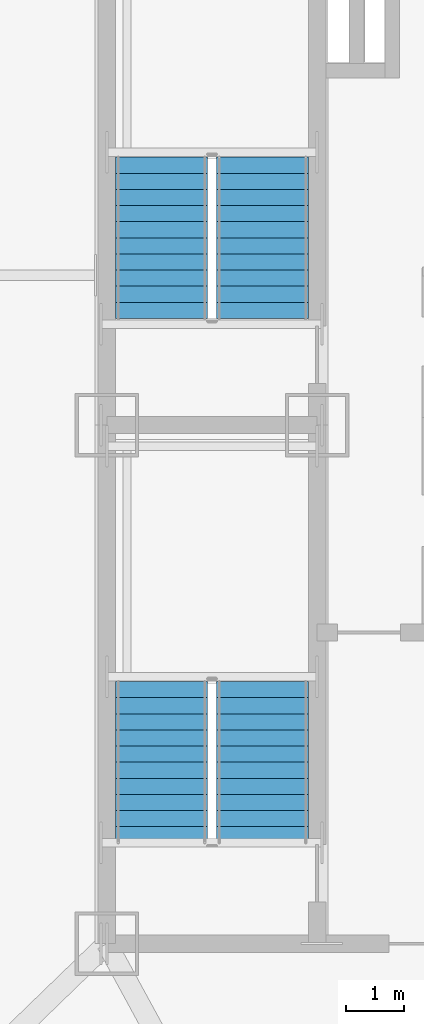
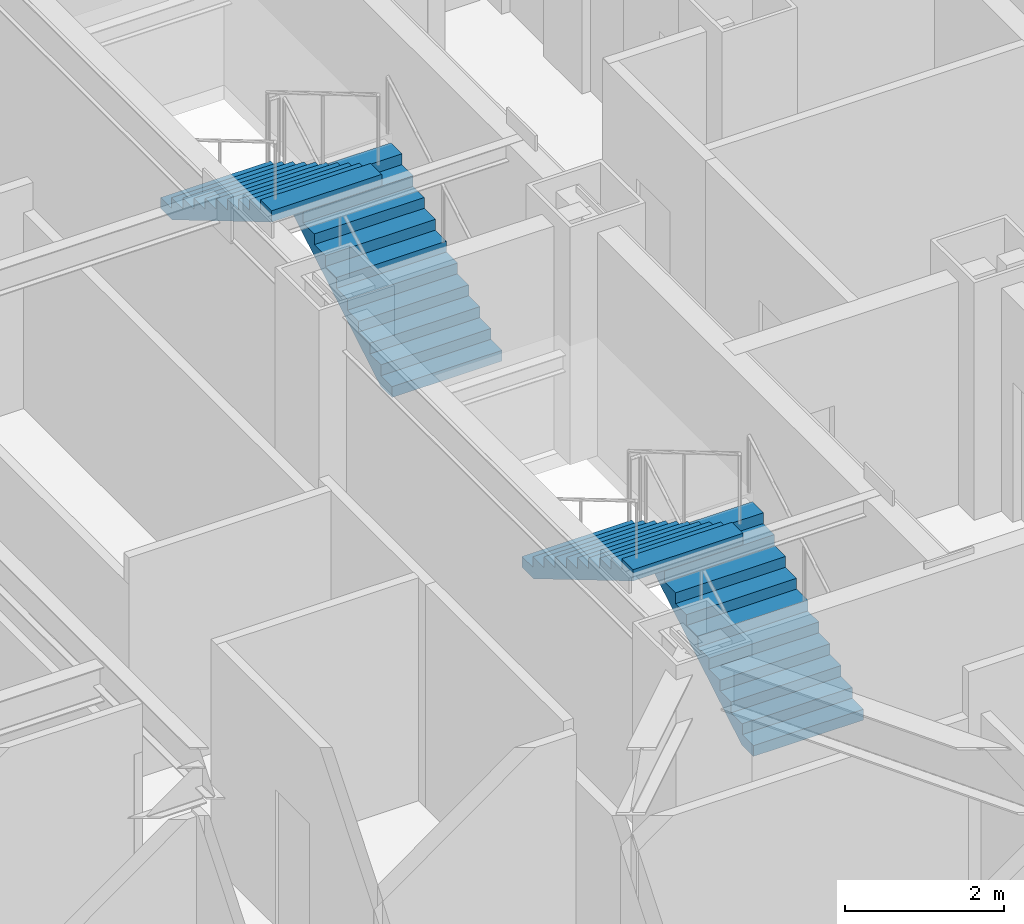
# One storey, part 11 of 12: 4 stair flights, 2 elements without a shape of their own.
"""IFC4 building model written with IfcOpenShell, lengths in metres."""

from ifc_helpers import new_model, si_unit, direction, frame, origin, place, context, subcontext, project, spatial, polyline, outline, extrude, material, type_object, element, aggregate, save


model = new_model("IFC4")

# Units and contexts
model_context = context("Model", 3, precision=1e-05, world=origin(), true_north=direction((0.0, 1.0)))
body_context = subcontext(model_context, "Body", "Model", "MODEL_VIEW")
ifc_project = project(units=[si_unit("LENGTHUNIT", "METRE"), si_unit("AREAUNIT", "SQUARE_METRE"), si_unit("VOLUMEUNIT", "CUBIC_METRE"), si_unit("PLANEANGLEUNIT", "RADIAN"), si_unit("MASSUNIT", "GRAM", prefix="KILO")], contexts=[model_context])

# Site, building, storey
site_placement = place(None, origin())
site = spatial("IfcSite", under=ifc_project, at=site_placement, CompositionType="ELEMENT")
building_placement = place(site_placement, origin())
building = spatial("IfcBuilding", under=site, at=building_placement, Name="Khamvora Tower", CompositionType="ELEMENT")
storey_placement = place(building_placement, frame((0.0, 0.0, 177.800048828125)))
storey = spatial("IfcBuildingStorey", under=building, at=storey_placement, Name="L45", CompositionType="ELEMENT", Elevation=177.800048828125)

# Stair, stair flights
ifc_material = material(Name="Concrete C40/50", Category="concrete")
stair_type_1 = type_object("IfcStairType", Name="STR-ST-01", PredefinedType="HALF_TURN_STAIR", material=ifc_material)
stair_1_placement = place(storey_placement, origin())
stair_1 = element("IfcStair", 1, at=stair_1_placement, inside=storey, type_object=stair_type_1, Name="L45 South Tower Exit Stair ST-01", PredefinedType="HALF_TURN_STAIR")
stair_flight_type_1 = type_object("IfcStairFlightType", Name="STF-ST-01", PredefinedType="STRAIGHT", material=ifc_material)
stair_flight_1_placement = place(storey_placement, frame((31.699951171875, 20.75, 0.0), z_axis=(0.0, 0.0, 1.0), x_axis=(0.0, 1.0, 0.0)))
stair_flight_1 = element("IfcStairFlight", 2, at=stair_flight_1_placement, type_object=stair_flight_type_1, Name="ST-01 flight 1", NumberOfRisers=11, NumberOfTreads=10, PredefinedType="STRAIGHT", RiserHeight=0.165909091, TreadLength=0.28, context=body_context, shape_type="SweptSolid", body=[
    extrude(outline(polyline([(0.0, 0.0), (0.0, 0.166015625), (0.280029296875, 0.166015625), (0.280029296875, 0.331787109375), (0.56005859375, 0.331787109375), (0.56005859375, 0.497802734375), (0.840087890625, 0.497802734375), (0.840087890625, 0.66357421875), (1.1201171875, 0.66357421875), (1.1201171875, 0.82958984375), (1.39990234375, 0.82958984375), (1.39990234375, 0.995361328125), (1.679931640625, 0.995361328125), (1.679931640625, 1.161376953125), (1.9599609375, 1.161376953125), (1.9599609375, 1.327392578125), (2.239990234375, 1.327392578125), (2.239990234375, 1.4931640625), (2.52001953125, 1.4931640625), (2.52001953125, 1.6591796875), (2.800048828125, 1.6591796875), (2.800048828125, 1.824951171875), (2.800048828125, 1.48486328125), (0.2939453125, 0.0), (0.0, 0.0)])), frame((0.0, 0.800048828125, 0.0), z_axis=(0.0, -1.0, 0.0), x_axis=(1.0, 0.0, 0.0)), (0.0, 0.0, 1.0), 1.60009765625),
])
stair_flight_2_placement = place(storey_placement, frame((29.949951171875, 23.550048828125, 1.824951171875), z_axis=(0.0, 0.0, 1.0), x_axis=(0.0, -1.0, 0.0)))
stair_flight_2 = element("IfcStairFlight", 3, at=stair_flight_2_placement, type_object=stair_flight_type_1, Name="ST-01 flight 2", NumberOfRisers=11, NumberOfTreads=10, PredefinedType="STRAIGHT", RiserHeight=0.165909091, TreadLength=0.28, context=body_context, shape_type="SweptSolid", body=[
    extrude(outline(polyline([(0.0, 0.0), (0.0, 0.166015625), (0.280029296875, 0.166015625), (0.280029296875, 0.331787109375), (0.56005859375, 0.331787109375), (0.56005859375, 0.497802734375), (0.840087890625, 0.497802734375), (0.840087890625, 0.66357421875), (1.1201171875, 0.66357421875), (1.1201171875, 0.82958984375), (1.39990234375, 0.82958984375), (1.39990234375, 0.995361328125), (1.679931640625, 0.995361328125), (1.679931640625, 1.161376953125), (1.9599609375, 1.161376953125), (1.9599609375, 1.327392578125), (2.239990234375, 1.327392578125), (2.239990234375, 1.4931640625), (2.52001953125, 1.4931640625), (2.52001953125, 1.6591796875), (2.800048828125, 1.6591796875), (2.800048828125, 1.824951171875), (2.800048828125, 1.48486328125), (0.2939453125, 0.0), (0.0, 0.0)])), frame((0.0, 0.800048828125, 0.0), z_axis=(0.0, -1.0, 0.0), x_axis=(1.0, 0.0, 0.0)), (0.0, 0.0, 1.0), 1.60009765625),
])
aggregate(stair_1, [stair_flight_1, stair_flight_2])

stair_type_2 = type_object("IfcStairType", Name="STR-ST-02", PredefinedType="HALF_TURN_STAIR", material=ifc_material)
stair_2_placement = place(storey_placement, origin())
stair_2 = element("IfcStair", 4, at=stair_2_placement, inside=storey, type_object=stair_type_2, Name="L45 North Tower Exit Stair ST-02", PredefinedType="HALF_TURN_STAIR")
stair_flight_type_2 = type_object("IfcStairFlightType", Name="STF-ST-02", PredefinedType="STRAIGHT", material=ifc_material)
stair_flight_3_placement = place(storey_placement, frame((31.699951171875, 29.85009765625, 0.0), z_axis=(0.0, 0.0, 1.0), x_axis=(0.0, 1.0, 0.0)))
stair_flight_3 = element("IfcStairFlight", 5, at=stair_flight_3_placement, type_object=stair_flight_type_2, Name="ST-02 flight 1", NumberOfRisers=11, NumberOfTreads=10, PredefinedType="STRAIGHT", RiserHeight=0.165909091, TreadLength=0.28, context=body_context, shape_type="SweptSolid", body=[
    extrude(outline(polyline([(0.0, 0.0), (0.0, 0.166015625), (0.280029296875, 0.166015625), (0.280029296875, 0.331787109375), (0.56005859375, 0.331787109375), (0.56005859375, 0.497802734375), (0.840087890625, 0.497802734375), (0.840087890625, 0.66357421875), (1.1201171875, 0.66357421875), (1.1201171875, 0.82958984375), (1.39990234375, 0.82958984375), (1.39990234375, 0.995361328125), (1.679931640625, 0.995361328125), (1.679931640625, 1.161376953125), (1.9599609375, 1.161376953125), (1.9599609375, 1.327392578125), (2.239990234375, 1.327392578125), (2.239990234375, 1.4931640625), (2.52001953125, 1.4931640625), (2.52001953125, 1.6591796875), (2.800048828125, 1.6591796875), (2.800048828125, 1.824951171875), (2.800048828125, 1.48486328125), (0.2939453125, 0.0), (0.0, 0.0)])), frame((0.0, 0.800048828125, 0.0), z_axis=(0.0, -1.0, 0.0), x_axis=(1.0, 0.0, 0.0)), (0.0, 0.0, 1.0), 1.60009765625),
])
stair_flight_4_placement = place(storey_placement, frame((29.949951171875, 32.64990234375, 1.824951171875), z_axis=(0.0, 0.0, 1.0), x_axis=(0.0, -1.0, 0.0)))
stair_flight_4 = element("IfcStairFlight", 6, at=stair_flight_4_placement, type_object=stair_flight_type_2, Name="ST-02 flight 2", NumberOfRisers=11, NumberOfTreads=10, PredefinedType="STRAIGHT", RiserHeight=0.165909091, TreadLength=0.28, context=body_context, shape_type="SweptSolid", body=[
    extrude(outline(polyline([(0.0, 0.0), (0.0, 0.166015625), (0.280029296875, 0.166015625), (0.280029296875, 0.331787109375), (0.56005859375, 0.331787109375), (0.56005859375, 0.497802734375), (0.840087890625, 0.497802734375), (0.840087890625, 0.66357421875), (1.1201171875, 0.66357421875), (1.1201171875, 0.82958984375), (1.39990234375, 0.82958984375), (1.39990234375, 0.995361328125), (1.679931640625, 0.995361328125), (1.679931640625, 1.161376953125), (1.9599609375, 1.161376953125), (1.9599609375, 1.327392578125), (2.239990234375, 1.327392578125), (2.239990234375, 1.4931640625), (2.52001953125, 1.4931640625), (2.52001953125, 1.6591796875), (2.800048828125, 1.6591796875), (2.800048828125, 1.824951171875), (2.800048828125, 1.48486328125), (0.2939453125, 0.0), (0.0, 0.0)])), frame((0.0, 0.800048828125, 0.0), z_axis=(0.0, -1.0, 0.0), x_axis=(1.0, 0.0, 0.0)), (0.0, 0.0, 1.0), 1.60009765625),
])
aggregate(stair_2, [stair_flight_3, stair_flight_4])

save(model, "model.ifc")
